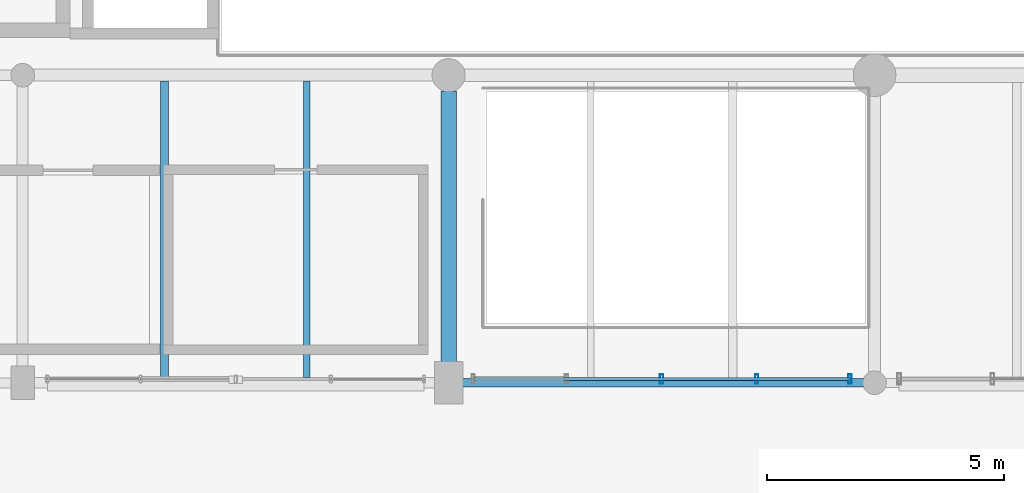
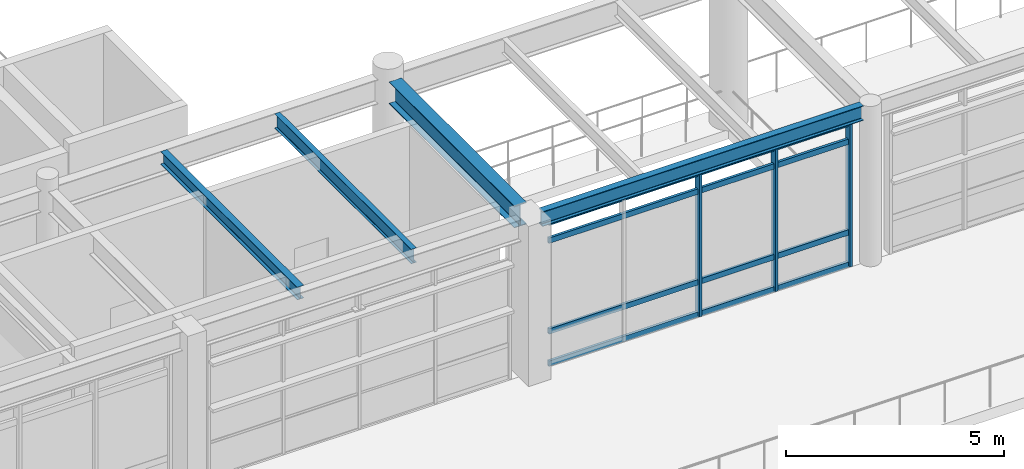
# One storey, part 44 of 200: 7 members, 4 beams, 1 element without a shape of its own.
"""IFC4 building model written with IfcOpenShell, lengths in metres."""

from ifc_helpers import new_model, si_unit, direction, frame, origin, origin_2d, place, context, subcontext, project, spatial, hollow_rectangle, i_section, extrude, material, material_profile, profile_set, type_object, element, aggregate, save


model = new_model("IFC4")

# Units and contexts
model_context = context("Model", 3, precision=1e-05, world=origin(), true_north=direction((0.0, 1.0)))
body_context = subcontext(model_context, "Body", "Model", "MODEL_VIEW")
ifc_project = project(units=[si_unit("LENGTHUNIT", "METRE"), si_unit("AREAUNIT", "SQUARE_METRE"), si_unit("VOLUMEUNIT", "CUBIC_METRE"), si_unit("PLANEANGLEUNIT", "RADIAN"), si_unit("MASSUNIT", "GRAM", prefix="KILO"), si_unit("THERMODYNAMICTEMPERATUREUNIT", "KELVIN"), si_unit("POWERUNIT", "WATT")], contexts=[model_context])

# Site, building, storey
site_placement = place(None, origin())
site = spatial("IfcSite", under=ifc_project, at=site_placement, CompositionType="ELEMENT")
building_placement = place(site_placement, origin())
building = spatial("IfcBuilding", under=site, at=building_placement, Name="Tepalcoro Natatorium and Aquatics Centre", CompositionType="ELEMENT")
storey_placement = place(building_placement, frame((0.0, 0.0, 5.39990234375)))
storey = spatial("IfcBuildingStorey", under=building, at=storey_placement, Name="L01", CompositionType="ELEMENT", Elevation=5.39990234375)

# Beam
ifc_material_1 = material(Name="Steel ASTM A992 Grade 50 (Fy 345 MPa)", Category="steel")
ifc_material_profile_1 = material_profile(ifc_material_1, i_section(OverallWidth=0.324951171875, OverallDepth=0.616943359375, WebThickness=0.013916015625, FlangeThickness=0.02197265625, FilletRadius=0.013916015625, at=origin_2d()), Name="W24X117")
ifc_profile_set_1 = profile_set([ifc_material_profile_1], Name="Steel ASTM A992 Grade 50 (Fy 345 MPa)")
beam_type_1 = type_object("IfcBeamType", Name="BM_W24x117", PredefinedType="BEAM", material=ifc_profile_set_1)
beam_1_placement = place(storey_placement, frame((71.0, 6.93505859375, 4.156494140625), z_axis=(0.0, 1.0, 0.0), x_axis=(-1.0, 0.0, 0.0)))
element("IfcBeam", 1, at=beam_1_placement, inside=storey, type_object=beam_type_1, Name="V1 L01 Grid Girder Y", PredefinedType="BEAM", context=body_context, shape_type="SweptSolid", body=[
    extrude(i_section(OverallWidth=0.324951171875, OverallDepth=0.616943359375, WebThickness=0.013916015625, FlangeThickness=0.02197265625, FilletRadius=0.013916015625, at=origin_2d()), origin(), (0.0, 0.0, 1.0), 5.72998046875),
])

# Curtain wall, members
ifc_material_2 = material(Name="Bronze-Anodised Extruded Aluminium Alloy EN AW-6063 T6", Category="aluminium")
curtain_wall_type = type_object("IfcCurtainWallType", Name="CW_V5_LOWER", PredefinedType="USERDEFINED", material=ifc_material_2)
curtain_wall_placement = place(storey_placement, origin())
curtain_wall = element("IfcCurtainWall", 2, at=curtain_wall_placement, inside=storey, type_object=curtain_wall_type, Name="V1 L01 S Unitised Curtain Wall Bay 4", ObjectType="UNITISED STOREFRONT", PredefinedType="USERDEFINED")
ifc_material_profile_2 = material_profile(ifc_material_2, hollow_rectangle(XDim=0.070068359375, YDim=0.199951171875, WallThickness=0.0048828125, at=origin_2d()), Name="AL70X200X5")
ifc_profile_set_2 = profile_set([ifc_material_profile_2], Name="Bronze-Anodised Extruded Aluminium Alloy EN AW-6063 T6")
member_type_1 = type_object("IfcMemberType", Name="CW_MUL_70x200", PredefinedType="MULLION", material=ifc_profile_set_2)
member_1_placement = place(storey_placement, frame((75.5, 6.580078125, 0.02001953125), z_axis=(0.0, 0.0, 1.0), x_axis=(1.0, 0.0, 0.0)))
member_1 = element("IfcMember", 3, at=member_1_placement, type_object=member_type_1, Name="CW_V5_LOWER Curtain Wall Mullion", PredefinedType="MULLION", context=body_context, shape_type="SweptSolid", body=[
    extrude(hollow_rectangle(XDim=0.070068359375, YDim=0.199951171875, WallThickness=0.0048828125, at=origin_2d()), origin(), (0.0, 0.0, 1.0), 3.9970703125),
])
member_2_placement = place(storey_placement, frame((77.510009765625, 6.580078125, 0.02001953125), z_axis=(0.0, 0.0, 1.0), x_axis=(1.0, 0.0, 0.0)))
member_2 = element("IfcMember", 4, at=member_2_placement, type_object=member_type_1, Name="CW_V5_LOWER Curtain Wall Mullion", PredefinedType="MULLION", context=body_context, shape_type="SweptSolid", body=[
    extrude(hollow_rectangle(XDim=0.070068359375, YDim=0.199951171875, WallThickness=0.0048828125, at=origin_2d()), origin(), (0.0, 0.0, 1.0), 3.9970703125),
])
member_3_placement = place(storey_placement, frame((79.47998046875, 6.580078125, 0.02001953125), z_axis=(0.0, 0.0, 1.0), x_axis=(1.0, 0.0, 0.0)))
member_3 = element("IfcMember", 5, at=member_3_placement, type_object=member_type_1, Name="CW_V5_LOWER Curtain Wall Mullion", PredefinedType="MULLION", context=body_context, shape_type="SweptSolid", body=[
    extrude(hollow_rectangle(XDim=0.070068359375, YDim=0.199951171875, WallThickness=0.0048828125, at=origin_2d()), origin(), (0.0, 0.0, 1.0), 3.9970703125),
])
ifc_material_profile_3 = material_profile(ifc_material_2, hollow_rectangle(XDim=0.070068359375, YDim=0.14990234375, WallThickness=0.00390625, at=origin_2d()), Name="AL70X150X4")
ifc_profile_set_3 = profile_set([ifc_material_profile_3], Name="Bronze-Anodised Extruded Aluminium Alloy EN AW-6063 T6")
member_type_2 = type_object("IfcMemberType", Name="CW_TRN_70x150", PredefinedType="USERDEFINED", material=ifc_profile_set_3)
member_4_placement = place(storey_placement, frame((71.530029296875, 6.580078125, 0.050048828125), z_axis=(1.0, 0.0, 0.0), x_axis=(0.0, 1.0, 0.0)))
member_4 = element("IfcMember", 6, at=member_4_placement, type_object=member_type_2, Name="CW_V5_LOWER Curtain Wall Transom", ObjectType="TRANSOM", PredefinedType="USERDEFINED", context=body_context, shape_type="SweptSolid", body=[
    extrude(hollow_rectangle(XDim=0.070068359375, YDim=0.14990234375, WallThickness=0.00390625, at=origin_2d()), origin(), (0.0, 0.0, 1.0), 7.93994140625),
])
member_5_placement = place(storey_placement, frame((71.530029296875, 6.580078125, 0.9501953125), z_axis=(1.0, 0.0, 0.0), x_axis=(0.0, 1.0, 0.0)))
member_5 = element("IfcMember", 7, at=member_5_placement, type_object=member_type_2, Name="CW_V5_LOWER Curtain Wall Transom", ObjectType="TRANSOM", PredefinedType="USERDEFINED", context=body_context, shape_type="SweptSolid", body=[
    extrude(hollow_rectangle(XDim=0.070068359375, YDim=0.14990234375, WallThickness=0.00390625, at=origin_2d()), origin(), (0.0, 0.0, 1.0), 7.93994140625),
])
member_6_placement = place(storey_placement, frame((71.530029296875, 6.580078125, 3.487060546875), z_axis=(1.0, 0.0, 0.0), x_axis=(0.0, 1.0, 0.0)))
member_6 = element("IfcMember", 8, at=member_6_placement, type_object=member_type_2, Name="CW_V5_LOWER Curtain Wall Transom", ObjectType="TRANSOM", PredefinedType="USERDEFINED", context=body_context, shape_type="SweptSolid", body=[
    extrude(hollow_rectangle(XDim=0.070068359375, YDim=0.14990234375, WallThickness=0.00390625, at=origin_2d()), origin(), (0.0, 0.0, 1.0), 7.93994140625),
])
member_7_placement = place(storey_placement, frame((71.530029296875, 6.580078125, 3.987060546875), z_axis=(1.0, 0.0, 0.0), x_axis=(0.0, 1.0, 0.0)))
member_7 = element("IfcMember", 9, at=member_7_placement, type_object=member_type_2, Name="CW_V5_LOWER Curtain Wall Transom", ObjectType="TRANSOM", PredefinedType="USERDEFINED", context=body_context, shape_type="SweptSolid", body=[
    extrude(hollow_rectangle(XDim=0.070068359375, YDim=0.14990234375, WallThickness=0.00390625, at=origin_2d()), origin(), (0.0, 0.0, 1.0), 7.93994140625),
])
aggregate(curtain_wall, [member_1, member_2, member_3, member_4, member_5, member_6, member_7])

# Beams
ifc_material_profile_4 = material_profile(ifc_material_1, i_section(OverallWidth=0.172119140625, OverallDepth=0.35791015625, WebThickness=0.008056640625, FlangeThickness=0.012939453125, FilletRadius=0.013916015625, at=origin_2d()), Name="W14X38")
ifc_profile_set_4 = profile_set([ifc_material_profile_4], Name="Steel ASTM A992 Grade 50 (Fy 345 MPa)")
beam_type_2 = type_object("IfcBeamType", Name="JS_W14x38", PredefinedType="JOIST", material=ifc_profile_set_4)
beam_2_placement = place(storey_placement, frame((65.0, 6.614501953125, 4.2861328125), z_axis=(0.0, 1.0, 0.0), x_axis=(-1.0, 0.0, 0.0)))
element("IfcBeam", 10, at=beam_2_placement, inside=storey, type_object=beam_type_2, Name="V1 L01 Floor Joist", PredefinedType="JOIST", context=body_context, shape_type="SweptSolid", body=[
    extrude(i_section(OverallWidth=0.172119140625, OverallDepth=0.35791015625, WebThickness=0.008056640625, FlangeThickness=0.012939453125, FilletRadius=0.013916015625, at=origin_2d()), origin(), (0.0, 0.0, 1.0), 6.258544921875),
])
ifc_material_profile_5 = material_profile(ifc_material_1, i_section(OverallWidth=0.139892578125, OverallDepth=0.404052734375, WebThickness=0.007080078125, FlangeThickness=0.010986328125, FilletRadius=0.013916015625, at=origin_2d()), Name="W16X31")
ifc_profile_set_5 = profile_set([ifc_material_profile_5], Name="Steel ASTM A992 Grade 50 (Fy 345 MPa)")
beam_type_3 = type_object("IfcBeamType", Name="JS_W16x31", PredefinedType="JOIST", material=ifc_profile_set_5)
beam_3_placement = place(storey_placement, frame((68.0, 6.614501953125, 4.26318359375), z_axis=(0.0, 1.0, 0.0), x_axis=(-1.0, 0.0, 0.0)))
element("IfcBeam", 11, at=beam_3_placement, inside=storey, type_object=beam_type_3, Name="V1 L01 Floor Joist", PredefinedType="JOIST", context=body_context, shape_type="SweptSolid", body=[
    extrude(i_section(OverallWidth=0.139892578125, OverallDepth=0.404052734375, WebThickness=0.007080078125, FlangeThickness=0.010986328125, FilletRadius=0.013916015625, at=origin_2d()), origin(), (0.0, 0.0, 1.0), 6.258544921875),
])
ifc_material_profile_6 = material_profile(ifc_material_1, i_section(OverallWidth=0.179931640625, OverallDepth=0.4130859375, WebThickness=0.010009765625, FlangeThickness=0.01611328125, FilletRadius=0.013916015625, at=origin_2d()), Name="W16X50")
ifc_profile_set_6 = profile_set([ifc_material_profile_6], Name="Steel ASTM A992 Grade 50 (Fy 345 MPa)")
beam_type_4 = type_object("IfcBeamType", Name="SP_HSS300x200x12", PredefinedType="SPANDREL", material=ifc_profile_set_6)
beam_4_placement = place(storey_placement, frame((71.284912109375, 6.5, 4.258544921875), z_axis=(1.0, 0.0, 0.0), x_axis=(0.0, 1.0, 0.0)))
element("IfcBeam", 12, at=beam_4_placement, inside=storey, type_object=beam_type_4, Name="V1 L01 Grid Girder X", PredefinedType="SPANDREL", context=body_context, shape_type="SweptSolid", body=[
    extrude(i_section(OverallWidth=0.179931640625, OverallDepth=0.4130859375, WebThickness=0.010009765625, FlangeThickness=0.01611328125, FilletRadius=0.013916015625, at=origin_2d()), origin(), (0.0, 0.0, 1.0), 8.47998046875),
])

save(model, "model.ifc")
